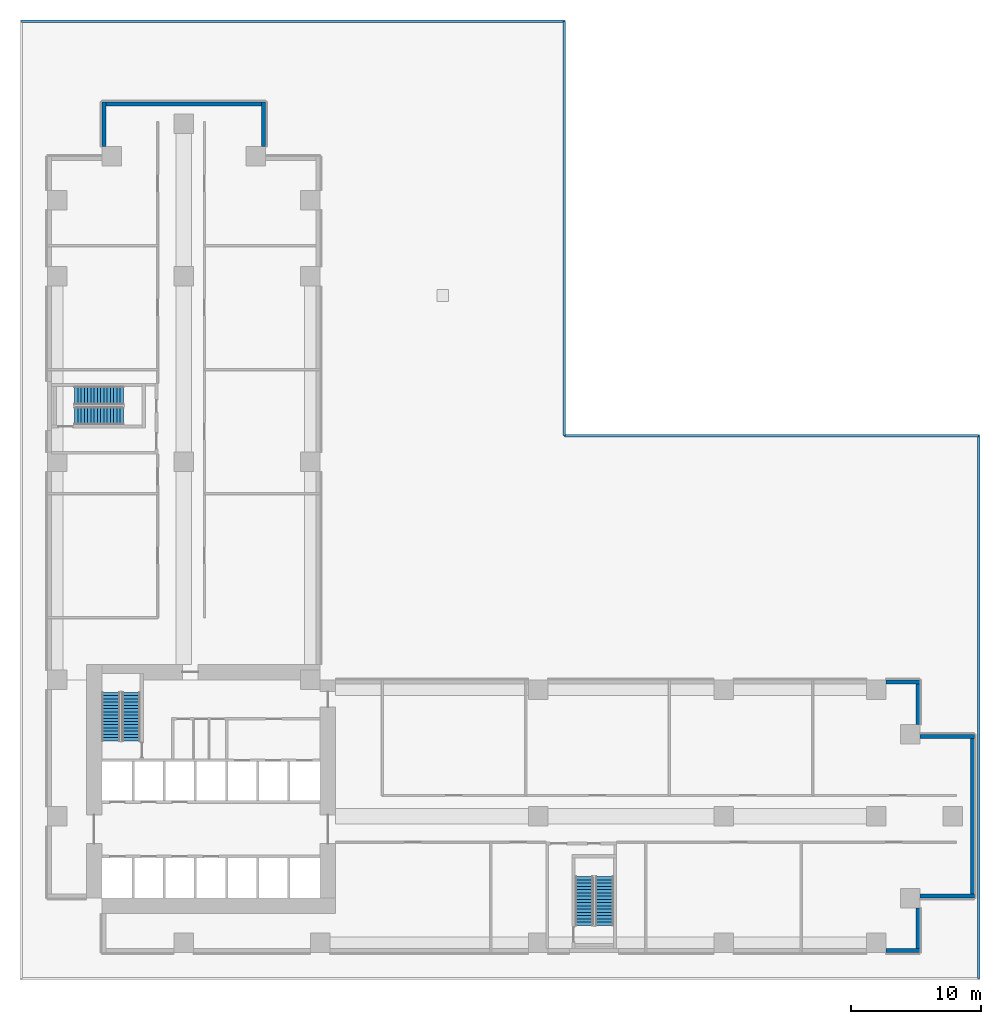
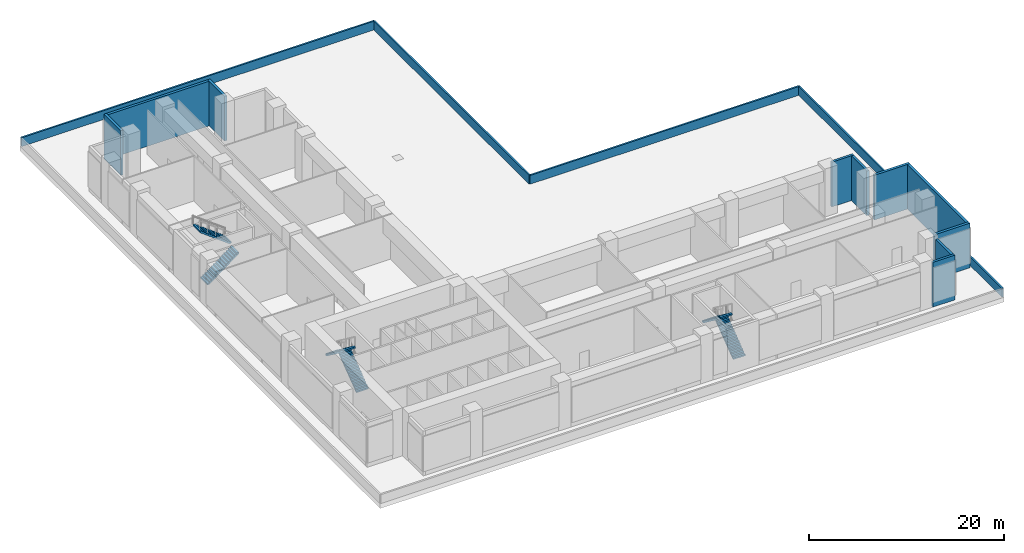
# One storey, part 5 of 11: 14 walls, 6 stair flights, 3 elements without a shape of their own.
"""IFC4 building model written with IfcOpenShell, lengths in metres."""

from ifc_helpers import new_model, si_unit, direction, frame, frame_2d, origin, place, context, subcontext, project, spatial, polyline, rectangle, outline, extrude, source, transform, mapped, material, layer, layer_set, type_object, element, aggregate, save


model = new_model("IFC4")

# Units and contexts
model_context = context("Model", 3, precision=1e-05, world=origin(), true_north=direction((0.0, 1.0)))
body_context = subcontext(model_context, "Body", "Model", "MODEL_VIEW")
ifc_project = project(units=[si_unit("LENGTHUNIT", "METRE"), si_unit("AREAUNIT", "SQUARE_METRE"), si_unit("VOLUMEUNIT", "CUBIC_METRE"), si_unit("PLANEANGLEUNIT", "RADIAN"), si_unit("MASSUNIT", "GRAM", prefix="KILO")], contexts=[model_context])

# Site, building, storey
site_placement = place(None, origin())
site = spatial("IfcSite", under=ifc_project, at=site_placement, CompositionType="ELEMENT")
building_placement = place(site_placement, origin())
building = spatial("IfcBuilding", under=site, at=building_placement, Name="Aurelian Terraces", CompositionType="ELEMENT")
storey_placement = place(building_placement, frame((0.0, 0.0, 34.5)))
storey = spatial("IfcBuildingStorey", under=building, at=storey_placement, Name="L06", CompositionType="ELEMENT", Elevation=34.5)

# Walls
ifc_material_1 = material(Name="Terracotta rainscreen cladding", Category="masonry")
ifc_layer_1 = layer(ifc_material_1, 0.3)
ifc_layer_set_1 = layer_set([ifc_layer_1], Name="EW-300")
wall_type_1 = type_object("IfcWallType", Name="EW-300", PredefinedType="STANDARD", material=ifc_layer_set_1)
wall_1_placement = place(storey_placement, frame((64.59, 0.15, 0.0), z_axis=(0.0, 0.0, 1.0), x_axis=(1.0, 0.0, 0.0)))
element("IfcWall", 1, at=wall_1_placement, inside=storey, type_object=wall_type_1, Name="External wall L06 F01.8", PredefinedType="STANDARD", context=body_context, shape_type="SweptSolid", body=[
    extrude(rectangle(XDim=2.61, YDim=0.3, at=frame_2d((1.305, 0.0))), origin(), (0.0, 0.0, 1.0), 5.6),
])
wall_2_placement = place(storey_placement, frame((67.05, 0.0, 0.0), z_axis=(0.0, 0.0, 1.0), x_axis=(0.0, 1.0, 0.0)))
element("IfcWall", 2, at=wall_2_placement, inside=storey, type_object=wall_type_1, Name="External wall L06 F02.1", PredefinedType="STANDARD", context=body_context, shape_type="SweptSolid", body=[
    extrude(rectangle(XDim=3.45, YDim=0.3, at=frame_2d((1.725, 0.0))), origin(), (0.0, 0.0, 1.0), 5.6),
])
wall_3_placement = place(storey_placement, frame((67.2, 4.35, 0.0), z_axis=(0.0, 0.0, 1.0), x_axis=(1.0, 0.0, 0.0)))
element("IfcWall", 3, at=wall_3_placement, inside=storey, type_object=wall_type_1, Name="External wall L06 F03.1", PredefinedType="STANDARD", context=body_context, shape_type="SweptSolid", body=[
    extrude(rectangle(XDim=4.2, YDim=0.3, at=frame_2d((2.1, 0.0))), origin(), (0.0, 0.0, 1.0), 5.6),
])
wall_4_placement = place(storey_placement, frame((71.25, 4.2, 0.0), z_axis=(0.0, 0.0, 1.0), x_axis=(0.0, 1.0, 0.0)))
element("IfcWall", 4, at=wall_4_placement, inside=storey, type_object=wall_type_1, Name="External wall L06 F04.1", PredefinedType="STANDARD", context=body_context, shape_type="SweptSolid", body=[
    extrude(rectangle(XDim=12.6, YDim=0.3, at=frame_2d((6.3, 0.0))), origin(), (0.0, 0.0, 1.0), 5.6),
])
ifc_layer_2 = layer(ifc_material_1, 0.2)
ifc_layer_set_2 = layer_set([ifc_layer_2], Name="PARAPET-200")
wall_type_2 = type_object("IfcWallType", Name="PARAPET-200", PredefinedType="PARAPET", material=ifc_layer_set_2)
wall_5_placement = place(storey_placement, frame((-2.01, 71.73, 0.0), z_axis=(0.0, 0.0, 1.0), x_axis=(1.0, 0.0, 0.0)))
element("IfcWall", 5, at=wall_5_placement, inside=storey, type_object=wall_type_2, Name="Parapet L06 L06-X1", PredefinedType="PARAPET", context=body_context, shape_type="SweptSolid", body=[
    extrude(rectangle(XDim=41.82, YDim=0.2, at=frame_2d((20.91, 0.0))), origin(), (0.0, 0.0, 1.0), 1.1),
])
wall_6_placement = place(storey_placement, frame((39.81, 71.73, 0.0), z_axis=(0.0, 0.0, 1.0), x_axis=(0.0, -1.0, 0.0)))
element("IfcWall", 6, at=wall_6_placement, inside=storey, type_object=wall_type_2, Name="Parapet L06 L06-X1", PredefinedType="PARAPET", context=body_context, shape_type="SweptSolid", body=[
    extrude(rectangle(XDim=31.92, YDim=0.2, at=frame_2d((15.96, 0.0))), origin(), (0.0, 0.0, 1.0), 1.1),
])
shared_shape_1 = source(origin(), body_context, "Body", "SweptSolid", [
    extrude(rectangle(XDim=4.2, YDim=0.3, at=frame_2d((2.1, 0.0))), origin(), (0.0, 0.0, 1.0), 5.6),
])
wall_7_placement = place(storey_placement, frame((71.4, 16.65, 0.0), z_axis=(0.0, 0.0, 1.0), x_axis=(-1.0, 0.0, 0.0)))
element("IfcWall", 7, at=wall_7_placement, inside=storey, type_object=wall_type_1, Name="External wall L06 F05.1", PredefinedType="STANDARD", context=body_context, shape_type="MappedRepresentation", body=[
    mapped(shared_shape_1, transform((0.0, 0.0, 0.0), scale=1.0)),
])
shared_shape_2 = source(origin(), body_context, "Body", "SweptSolid", [
    extrude(rectangle(XDim=3.45, YDim=0.3, at=frame_2d((1.725, 0.0))), origin(), (0.0, 0.0, 1.0), 5.6),
])
for number, where, z_axis, x_axis, name in (
    (8, (67.05, 17.55, 0.0), (0.0, 0.0, 1.0), (0.0, 1.0, 0.0), "External wall L06 F06.1"),
    (9, (16.65, 62.07, 0.0), (0.0, 0.0, 1.0), (0.0, 1.0, 0.0), "External wall L06 F10.1"),
    (10, (4.35, 65.52, 0.0), (0.0, 0.0, 1.0), (0.0, -1.0, 0.0), "External wall L06 F12.1"),
):
    element("IfcWall", number, at=place(storey_placement, frame(where, z_axis=z_axis, x_axis=x_axis)), inside=storey, type_object=wall_type_1, Name=name, PredefinedType="STANDARD", context=body_context, shape_type="MappedRepresentation", body=[
        mapped(shared_shape_2, transform((0.0, 0.0, 0.0), scale=1.0)),
    ])
shared_shape_3 = source(origin(), body_context, "Body", "SweptSolid", [
    extrude(rectangle(XDim=2.61, YDim=0.3, at=frame_2d((1.305, 0.0))), origin(), (0.0, 0.0, 1.0), 5.6),
])
wall_8_placement = place(storey_placement, frame((67.2, 20.85, 0.0), z_axis=(0.0, 0.0, 1.0), x_axis=(-1.0, 0.0, 0.0)))
element("IfcWall", 11, at=wall_8_placement, inside=storey, type_object=wall_type_1, Name="External wall L06 F07.1", PredefinedType="STANDARD", context=body_context, shape_type="MappedRepresentation", body=[
    mapped(shared_shape_3, transform((0.0, 0.0, 0.0), scale=1.0)),
])
shared_shape_4 = source(origin(), body_context, "Body", "SweptSolid", [
    extrude(rectangle(XDim=12.6, YDim=0.3, at=frame_2d((6.3, 0.0))), origin(), (0.0, 0.0, 1.0), 5.6),
])
wall_9_placement = place(storey_placement, frame((16.8, 65.37, 0.0), z_axis=(0.0, 0.0, 1.0), x_axis=(-1.0, 0.0, 0.0)))
element("IfcWall", 12, at=wall_9_placement, inside=storey, type_object=wall_type_1, Name="External wall L06 F11.1", PredefinedType="STANDARD", context=body_context, shape_type="MappedRepresentation", body=[
    mapped(shared_shape_4, transform((0.0, 0.0, 0.0), scale=1.0)),
])
shared_shape_5 = source(origin(), body_context, "Body", "SweptSolid", [
    extrude(rectangle(XDim=31.92, YDim=0.2, at=frame_2d((15.96, 0.0))), origin(), (0.0, 0.0, 1.0), 1.1),
])
wall_10_placement = place(storey_placement, frame((39.81, 39.81, 0.0), z_axis=(0.0, 0.0, 1.0), x_axis=(1.0, 0.0, 0.0)))
element("IfcWall", 13, at=wall_10_placement, inside=storey, type_object=wall_type_2, Name="Parapet L06 L06-X1", PredefinedType="PARAPET", context=body_context, shape_type="MappedRepresentation", body=[
    mapped(shared_shape_5, transform((0.0, 0.0, 0.0), scale=1.0)),
])
shared_shape_6 = source(origin(), body_context, "Body", "SweptSolid", [
    extrude(rectangle(XDim=41.82, YDim=0.2, at=frame_2d((20.91, 0.0))), origin(), (0.0, 0.0, 1.0), 1.1),
])
wall_11_placement = place(storey_placement, frame((71.73, 39.81, 0.0), z_axis=(0.0, 0.0, 1.0), x_axis=(0.0, -1.0, 0.0)))
element("IfcWall", 14, at=wall_11_placement, inside=storey, type_object=wall_type_2, Name="Parapet L06 L06-X1", PredefinedType="PARAPET", context=body_context, shape_type="MappedRepresentation", body=[
    mapped(shared_shape_6, transform((0.0, 0.0, 0.0), scale=1.0)),
])

# Stair, stair flights
ifc_material_2 = material(Name="Concrete fc' 40 MPa", Category="concrete")
stair_type = type_object("IfcStairType", Name="Stair 1400", PredefinedType="HALF_TURN_STAIR", material=ifc_material_2)
stair_1_placement = place(storey_placement, origin())
stair_1 = element("IfcStair", 15, at=stair_1_placement, inside=storey, type_object=stair_type, Name="L06 S1", PredefinedType="HALF_TURN_STAIR")
stair_flight_type = type_object("IfcStairFlightType", Name="Stair flight 1400", PredefinedType="STRAIGHT", material=ifc_material_2)
stair_flight_1_placement = place(storey_placement, frame((6.45, 16.3, 2e-08), z_axis=(0.0, 0.0, 1.0), x_axis=(0.0, 1.0, 0.0)))
stair_flight_1 = element("IfcStairFlight", 16, at=stair_flight_1_placement, type_object=stair_flight_type, Name="S1 flight 1", NumberOfRisers=16, NumberOfTreads=15, PredefinedType="STRAIGHT", RiserHeight=0.1875, TreadLength=0.25, context=body_context, shape_type="SweptSolid", body=[
    extrude(outline(polyline([(0.0, 0.0), (0.0, 0.1875), (0.25, 0.1875), (0.25, 0.375), (0.5, 0.375), (0.5, 0.5625), (0.75, 0.5625), (0.75, 0.75), (1.0, 0.75), (1.0, 0.9375), (1.25, 0.9375), (1.25, 1.125), (1.5, 1.125), (1.5, 1.3125), (1.75, 1.3125), (1.75, 1.5), (2.0, 1.5), (2.0, 1.6875), (2.25, 1.6875), (2.25, 1.875), (2.5, 1.875), (2.5, 2.0625), (2.75, 2.0625), (2.75, 2.25), (3.0, 2.25), (3.0, 2.4375), (3.25, 2.4375), (3.25, 2.625), (3.5, 2.625), (3.5, 2.8125), (3.75, 2.8125), (3.75, 3.0), (3.75, 2.625), (0.25, 0.0), (0.0, 0.0)])), frame((0.0, 0.7, 0.0), z_axis=(0.0, -1.0, 0.0), x_axis=(1.0, 0.0, 0.0)), (0.0, 0.0, 1.0), 1.4),
])
shared_shape_7 = source(origin(), body_context, "Body", "SweptSolid", [
    extrude(outline(polyline([(0.0, 0.0), (0.0, 0.1875), (0.25, 0.1875), (0.25, 0.375), (0.5, 0.375), (0.5, 0.5625), (0.75, 0.5625), (0.75, 0.75), (1.0, 0.75), (1.0, 0.9375), (1.25, 0.9375), (1.25, 1.125), (1.5, 1.125), (1.5, 1.3125), (1.75, 1.3125), (1.75, 1.5), (2.0, 1.5), (2.0, 1.6875), (2.25, 1.6875), (2.25, 1.875), (2.5, 1.875), (2.5, 2.0625), (2.75, 2.0625), (2.75, 2.25), (3.0, 2.25), (3.0, 2.4375), (3.25, 2.4375), (3.25, 2.625), (3.5, 2.625), (3.5, 2.8125), (3.75, 2.8125), (3.75, 3.0), (3.75, 2.625), (0.25, 0.0), (0.0, 0.0)])), frame((0.0, 0.7, 0.0), z_axis=(0.0, -1.0, 0.0), x_axis=(1.0, 0.0, 0.0)), (0.0, 0.0, 1.0), 1.4),
])
stair_flight_2_placement = place(storey_placement, frame((4.9, 20.05, 3.00000002), z_axis=(0.0, 0.0, 1.0), x_axis=(0.0, -1.0, 0.0)))
stair_flight_2 = element("IfcStairFlight", 17, at=stair_flight_2_placement, type_object=stair_flight_type, Name="S1 flight 2", NumberOfRisers=16, NumberOfTreads=15, PredefinedType="STRAIGHT", RiserHeight=0.1875, TreadLength=0.25, context=body_context, shape_type="MappedRepresentation", body=[
    mapped(shared_shape_7, transform((0.0, 0.0, 0.0), scale=1.0)),
])
aggregate(stair_1, [stair_flight_1, stair_flight_2])

stair_2_placement = place(storey_placement, origin())
stair_2 = element("IfcStair", 18, at=stair_2_placement, inside=storey, type_object=stair_type, Name="L06 S2", PredefinedType="HALF_TURN_STAIR")
stair_flight_3_placement = place(storey_placement, frame((42.9, 2.1, 2e-08), z_axis=(0.0, 0.0, 1.0), x_axis=(0.0, 1.0, 0.0)))
stair_flight_3 = element("IfcStairFlight", 19, at=stair_flight_3_placement, type_object=stair_flight_type, Name="S2 flight 1", NumberOfRisers=16, NumberOfTreads=15, PredefinedType="STRAIGHT", RiserHeight=0.1875, TreadLength=0.25, context=body_context, shape_type="MappedRepresentation", body=[
    mapped(shared_shape_7, transform((0.0, 0.0, 0.0), scale=1.0)),
])
stair_flight_4_placement = place(storey_placement, frame((41.35, 5.85, 3.00000002), z_axis=(0.0, 0.0, 1.0), x_axis=(0.0, -1.0, 0.0)))
stair_flight_4 = element("IfcStairFlight", 20, at=stair_flight_4_placement, type_object=stair_flight_type, Name="S2 flight 2", NumberOfRisers=16, NumberOfTreads=15, PredefinedType="STRAIGHT", RiserHeight=0.1875, TreadLength=0.25, context=body_context, shape_type="MappedRepresentation", body=[
    mapped(shared_shape_7, transform((0.0, 0.0, 0.0), scale=1.0)),
])
aggregate(stair_2, [stair_flight_3, stair_flight_4])

stair_3_placement = place(storey_placement, origin())
stair_3 = element("IfcStair", 21, at=stair_3_placement, inside=storey, type_object=stair_type, Name="L06 S3", PredefinedType="HALF_TURN_STAIR")
stair_flight_5_placement = place(storey_placement, frame((2.1, 41.35, 2e-08), z_axis=(0.0, 0.0, 1.0), x_axis=(1.0, 0.0, 0.0)))
stair_flight_5 = element("IfcStairFlight", 22, at=stair_flight_5_placement, type_object=stair_flight_type, Name="S3 flight 1", NumberOfRisers=16, NumberOfTreads=15, PredefinedType="STRAIGHT", RiserHeight=0.1875, TreadLength=0.25, context=body_context, shape_type="MappedRepresentation", body=[
    mapped(shared_shape_7, transform((0.0, 0.0, 0.0), scale=1.0)),
])
stair_flight_6_placement = place(storey_placement, frame((5.85, 42.9, 3.00000002), z_axis=(0.0, 0.0, 1.0), x_axis=(-1.0, 0.0, 0.0)))
stair_flight_6 = element("IfcStairFlight", 23, at=stair_flight_6_placement, type_object=stair_flight_type, Name="S3 flight 2", NumberOfRisers=16, NumberOfTreads=15, PredefinedType="STRAIGHT", RiserHeight=0.1875, TreadLength=0.25, context=body_context, shape_type="MappedRepresentation", body=[
    mapped(shared_shape_7, transform((0.0, 0.0, 0.0), scale=1.0)),
])
aggregate(stair_3, [stair_flight_5, stair_flight_6])

save(model, "model.ifc")
